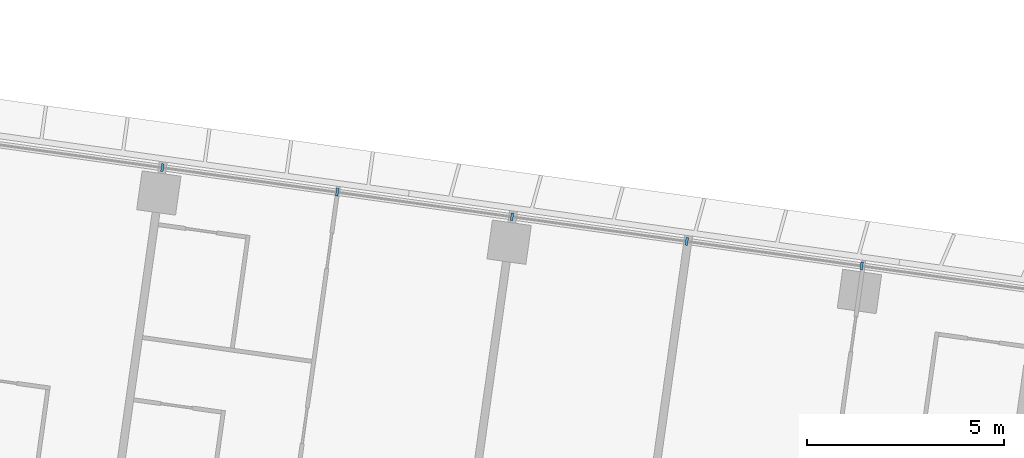
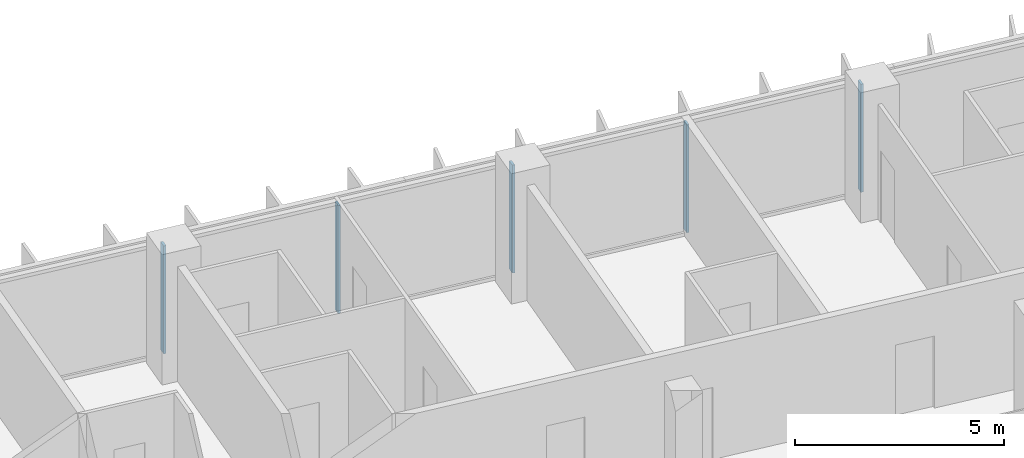
# One storey, part 5 of 25: 5 members, 1 element without a shape of its own.
"""IFC4 building model written with IfcOpenShell, lengths in metres."""

from ifc_helpers import new_model, si_unit, direction, frame, origin, origin_2d, place, context, subcontext, project, spatial, rectangle, extrude, material, material_profile, profile_set, type_object, element, aggregate, save


model = new_model("IFC4")

# Units and contexts
model_context = context("Model", 3, precision=1e-05, world=origin(), true_north=direction((0.0, 1.0)))
body_context = subcontext(model_context, "Body", "Model", "MODEL_VIEW")
ifc_project = project(units=[si_unit("LENGTHUNIT", "METRE"), si_unit("AREAUNIT", "SQUARE_METRE"), si_unit("VOLUMEUNIT", "CUBIC_METRE"), si_unit("PLANEANGLEUNIT", "RADIAN"), si_unit("MASSUNIT", "GRAM", prefix="KILO")], contexts=[model_context])

# Site, building, storey
site_placement = place(None, origin())
site = spatial("IfcSite", under=ifc_project, at=site_placement, CompositionType="ELEMENT")
building_placement = place(site_placement, origin())
building = spatial("IfcBuilding", under=site, at=building_placement, Name="Mirante Cascada Hotel Towers", CompositionType="ELEMENT")
storey_placement = place(building_placement, frame((0.0, 0.0, 62.3)))
storey = spatial("IfcBuildingStorey", under=building, at=storey_placement, Name="L12", CompositionType="ELEMENT", Elevation=62.3)

# Curtain wall, members
ifc_material_1 = material(Name="Aluminium mullion and transom frame with clear laminated glass", Category="aluminium")
curtain_wall_type = type_object("IfcCurtainWallType", Name="Ribbon curtain wall ECW1", PredefinedType="NOTDEFINED", material=ifc_material_1)
curtain_wall_placement = place(storey_placement, origin())
curtain_wall = element("IfcCurtainWall", 1, at=curtain_wall_placement, inside=storey, type_object=curtain_wall_type, Name="Front ribbon wall T1 L12", PredefinedType="NOTDEFINED")
ifc_material_2 = material(Name="Anodised aluminium extrusion", Category="aluminium")
ifc_material_profile = material_profile(ifc_material_2, rectangle(XDim=0.2, YDim=0.065, at=origin_2d()), Name="ECW1 MULLION 65x200")
ifc_profile_set = profile_set([ifc_material_profile], Name="Anodised aluminium extrusion")
member_type = type_object("IfcMemberType", Name="ECW1 mullion 65x200", PredefinedType="MULLION", material=ifc_profile_set)
member_1_placement = place(storey_placement, frame((-63.0262, 21.6768, 0.1), z_axis=(0.0, 0.0, 1.0), x_axis=(0.1391731, 0.9902681, 0.0)))
member_1 = element("IfcMember", 2, at=member_1_placement, type_object=member_type, Name="ECW1 mullion 8", PredefinedType="MULLION", context=body_context, shape_type="SweptSolid", body=[
    extrude(rectangle(XDim=0.2, YDim=0.065, at=origin_2d()), origin(), (0.0, 0.0, 1.0), 3.15),
])
member_2_placement = place(storey_placement, frame((-58.5788, 21.0517, 0.1), z_axis=(0.0, 0.0, 1.0), x_axis=(0.1391731, 0.9902681, 0.0)))
member_2 = element("IfcMember", 3, at=member_2_placement, type_object=member_type, Name="ECW1 mullion 9", PredefinedType="MULLION", context=body_context, shape_type="SweptSolid", body=[
    extrude(rectangle(XDim=0.2, YDim=0.065, at=origin_2d()), origin(), (0.0, 0.0, 1.0), 3.15),
])
member_3_placement = place(storey_placement, frame((-54.1314, 20.4267, 0.1), z_axis=(0.0, 0.0, 1.0), x_axis=(0.1391731, 0.9902681, 0.0)))
member_3 = element("IfcMember", 4, at=member_3_placement, type_object=member_type, Name="ECW1 mullion 10", PredefinedType="MULLION", context=body_context, shape_type="SweptSolid", body=[
    extrude(rectangle(XDim=0.2, YDim=0.065, at=origin_2d()), origin(), (0.0, 0.0, 1.0), 3.15),
])
member_4_placement = place(storey_placement, frame((-49.684, 19.8017, 0.1), z_axis=(0.0, 0.0, 1.0), x_axis=(0.1391731, 0.9902681, 0.0)))
member_4 = element("IfcMember", 5, at=member_4_placement, type_object=member_type, Name="ECW1 mullion 11", PredefinedType="MULLION", context=body_context, shape_type="SweptSolid", body=[
    extrude(rectangle(XDim=0.2, YDim=0.065, at=origin_2d()), origin(), (0.0, 0.0, 1.0), 3.15),
])
member_5_placement = place(storey_placement, frame((-45.2366, 19.1766, 0.1), z_axis=(0.0, 0.0, 1.0), x_axis=(0.1391731, 0.9902681, 0.0)))
member_5 = element("IfcMember", 6, at=member_5_placement, type_object=member_type, Name="ECW1 mullion 12", PredefinedType="MULLION", context=body_context, shape_type="SweptSolid", body=[
    extrude(rectangle(XDim=0.2, YDim=0.065, at=origin_2d()), origin(), (0.0, 0.0, 1.0), 3.15),
])
aggregate(curtain_wall, [member_1, member_2, member_3, member_4, member_5])

save(model, "model.ifc")
